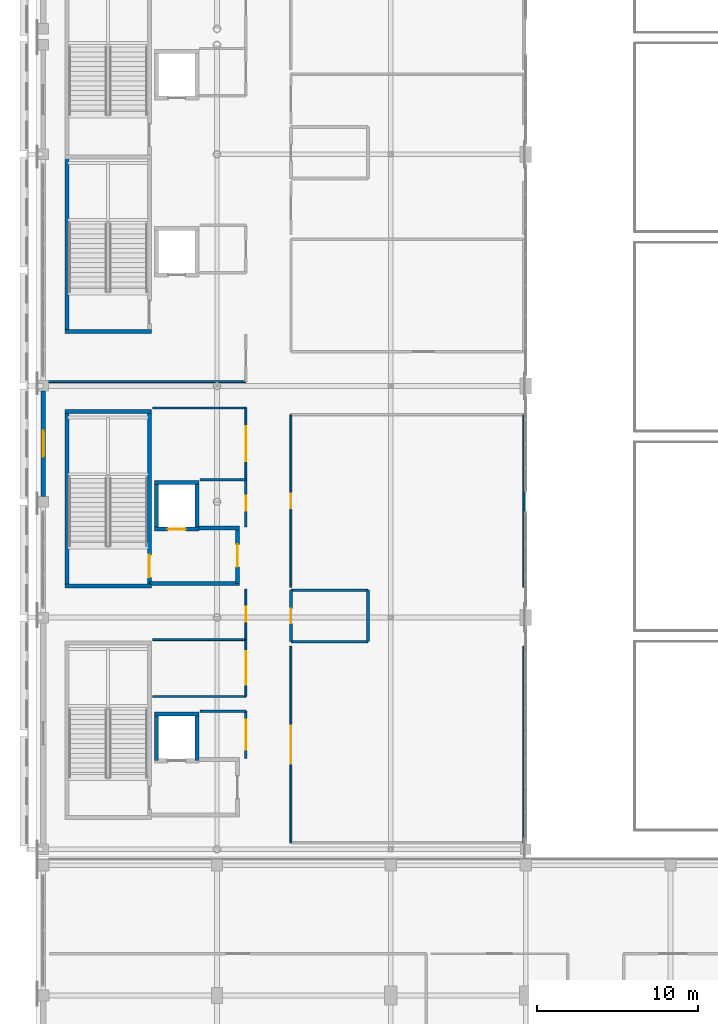
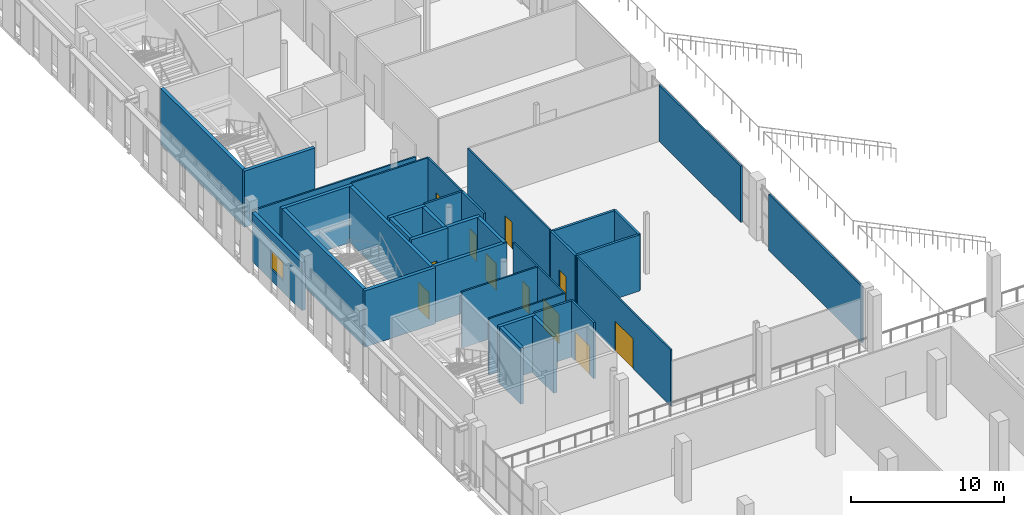
# One storey, part 63 of 104: 36 walls, 11 doors, 1 window, 12 openings.
"""IFC4 building model written with IfcOpenShell, lengths in metres."""

import ifcopenshell
import ifcopenshell.guid

model = None  # the IFC model being written
_history = None  # IfcOwnerHistory: only IFC2X3 demands one
_inside = {}  # id of a spatial element -> (the spatial element, [elements in it])
_under = {}  # id of a project, library or spatial element -> (it, [spatial elements below it])
_declared = {}  # id of a project -> (the project, [libraries it declares])
_typed = {}  # id of a type object -> (the type object, [elements of that type])
_made_of = {}  # id of a material, layer set ... -> (it, [elements and type objects made of it])


def new_model(schema):
    """Start an empty IFC model of exactly this schema.

    Asked for "IFC4X3", IfcOpenShell would pick the latest addendum, in which some entities
    have other attributes; the version numbers below select the first issue.
    IFC2X3 requires an IfcOwnerHistory on every rooted entity: one is made here for all.
    """
    global model, _history
    if schema == "IFC4X3":
        model = ifcopenshell.file(schema_version=(4, 3, 0, 0))
    else:
        model = ifcopenshell.file(schema=schema)
    _inside.clear()
    _under.clear()
    _declared.clear()
    _typed.clear()
    _made_of.clear()
    _history = None
    if model.schema == "IFC2X3":
        org = make("IfcOrganization", Name="unknown")
        user = make(
            "IfcPersonAndOrganization",
            ThePerson=make("IfcPerson", FamilyName="unknown"),
            TheOrganization=org,
        )
        app = make(
            "IfcApplication",
            ApplicationDeveloper=org,
            Version="unknown",
            ApplicationFullName="unknown",
            ApplicationIdentifier="unknown",
        )
        _history = make(
            "IfcOwnerHistory",
            OwningUser=user,
            OwningApplication=app,
            ChangeAction="ADDED",
            CreationDate=0,
        )
    return model


def make(cls, **values):
    """One entity of the class cls with the attributes given. An attribute that is None is left unset."""
    return model.create_entity(
        cls, **{name: value for name, value in values.items() if value is not None}
    )


def rooted(cls, **values):
    """An entity with a GlobalId (a new one), such as an element, a storey or a relation."""
    return make(cls, GlobalId=ifcopenshell.guid.new(), OwnerHistory=_history, **values)


def si_unit(unit_type, name, prefix=None):
    """IfcSIUnit, for example si_unit("LENGTHUNIT", "METRE", prefix="MILLI")."""
    return make("IfcSIUnit", UnitType=unit_type, Prefix=prefix, Name=name)


def assignment(units):
    """IfcUnitAssignment: the units of a project."""
    return None if units is None else make("IfcUnitAssignment", Units=units)


def point(xyz):
    """IfcCartesianPoint."""
    return None if xyz is None else make("IfcCartesianPoint", Coordinates=xyz)


def direction(xyz):
    """IfcDirection."""
    return None if xyz is None else make("IfcDirection", DirectionRatios=xyz)


def frame(location, z_axis=None, x_axis=None):
    """IfcAxis2Placement3D, a coordinate frame: its origin and axes. An axis left out is left unset."""
    return make(
        "IfcAxis2Placement3D",
        Location=point(location),
        Axis=direction(z_axis),
        RefDirection=direction(x_axis),
    )


def frame_2d(location, x_axis=None):
    """IfcAxis2Placement2D, a coordinate frame in the plane: its origin and x axis."""
    return make(
        "IfcAxis2Placement2D", Location=point(location), RefDirection=direction(x_axis)
    )


def origin():
    """The frame at (0, 0, 0) with its axes left unset."""
    return frame((0.0, 0.0, 0.0))


def place(relative_to, where):
    """IfcLocalPlacement: puts the frame where relative to a parent placement (None: the world)."""
    return make(
        "IfcLocalPlacement", PlacementRelTo=relative_to, RelativePlacement=where
    )


def context(
    kind, dimensions, precision=None, world=None, true_north=None, identifier=None
):
    """IfcGeometricRepresentationContext, for example the 3D "Model" context."""
    return make(
        "IfcGeometricRepresentationContext",
        ContextIdentifier=identifier,
        ContextType=kind,
        CoordinateSpaceDimension=dimensions,
        Precision=precision,
        WorldCoordinateSystem=world,
        TrueNorth=true_north,
    )


def subcontext(parent, identifier, kind, view, scale=None):
    """IfcGeometricRepresentationSubContext, for example "Body" below "Model"."""
    return make(
        "IfcGeometricRepresentationSubContext",
        ContextIdentifier=identifier,
        ContextType=kind,
        ParentContext=parent,
        TargetScale=scale,
        TargetView=view,
    )


def project(units=None, contexts=None):
    """IfcProject with its units and contexts."""
    return rooted(
        "IfcProject",
        Name="project",
        RepresentationContexts=contexts,
        UnitsInContext=assignment(units),
    )


def spatial(cls, under=None, at=None, **own):
    """A site, building, storey or space (cls), placed at a placement, below another one or the project."""
    s = rooted(cls, ObjectPlacement=at, **own)
    if under is not None:
        _under.setdefault(under.id(), (under, []))[1].append(s)
    return s


def profile(cls, at=None, kind="AREA", **sizes):
    """A parametric profile (cls). Its sizes go by their IFC names, for example OverallWidth=200.0."""
    return make(cls, ProfileType=kind, Position=at, **sizes)


def rectangle(**sizes):
    """IfcRectangleProfileDef."""
    return profile("IfcRectangleProfileDef", **sizes)


def extrude(swept, where, along, depth):
    """IfcExtrudedAreaSolid: the profile swept, set in the frame where, extruded along a direction by depth."""
    return make(
        "IfcExtrudedAreaSolid",
        SweptArea=swept,
        Position=where,
        ExtrudedDirection=direction(along),
        Depth=depth,
    )


def shape(context_of_items, identifier, shape_type, items):
    """IfcShapeRepresentation: the items that make up one representation, for example the "Body"."""
    return make(
        "IfcShapeRepresentation",
        ContextOfItems=context_of_items,
        RepresentationIdentifier=identifier,
        RepresentationType=shape_type,
        Items=items,
    )


def material(Name=None, Category=None):
    """IfcMaterial."""
    return make("IfcMaterial", Name=Name, Category=Category)


def layer(
    of_material, thickness, ventilated=None, Name=None, Category=None, Priority=None
):
    """IfcMaterialLayer: one layer of a wall or slab, of a material (None: an air gap)."""
    return make(
        "IfcMaterialLayer",
        Material=of_material,
        LayerThickness=thickness,
        IsVentilated=ventilated,
        Name=Name,
        Category=Category,
        Priority=Priority,
    )


def layer_set(layers, Name=None):
    """IfcMaterialLayerSet."""
    return make("IfcMaterialLayerSet", MaterialLayers=layers, LayerSetName=Name)


def made_of(thing, what):
    """Note that an element or type object is made of a material, layer set ...; save() writes the relation."""
    if what is not None:
        _made_of.setdefault(what.id(), (what, []))[1].append(thing)
    return thing


def type_object(cls, material=None, **own):
    """A type object (cls), such as IfcWallType, which elements share."""
    return made_of(rooted(cls, **own), material)


def element(
    cls,
    number,
    at=None,
    inside=None,
    cuts=None,
    type_object=None,
    material=None,
    context=None,
    identifier="Body",
    shape_type=None,
    held_by="IfcProductDefinitionShape",
    body=None,
    shapes=None,
    **own,
):
    """One element of the class cls, such as IfcWall. Its Tag is "e" and its number.

    at: its placement. inside: the storey or other place that contains it. cuts: it is an
    opening in that element (IfcRelVoidsElement). A single representation is given by context,
    identifier, shape_type and body (its items); several are given by shapes. held_by: the class
    of the entity that holds the representations. save() writes the other relations.
    """
    e = rooted(cls, Tag="e%d" % number, ObjectPlacement=at, **own)
    if body is not None:
        shapes = [shape(context, identifier, shape_type, body)]
    if shapes is not None:
        e.Representation = make(held_by, Representations=shapes)
    if inside is not None:
        _inside.setdefault(inside.id(), (inside, []))[1].append(e)
    if cuts is not None:
        rooted(
            "IfcRelVoidsElement", RelatingBuildingElement=cuts, RelatedOpeningElement=e
        )
    if type_object is not None:
        _typed.setdefault(type_object.id(), (type_object, []))[1].append(e)
    return made_of(e, material)


def fill(opening, filler):
    """IfcRelFillsElement: the door or window that sits in an opening."""
    return rooted(
        "IfcRelFillsElement",
        RelatingOpeningElement=opening,
        RelatedBuildingElement=filler,
    )


def aggregate(whole, parts):
    """IfcRelAggregates: a whole, such as a stair, and the parts it consists of."""
    return rooted("IfcRelAggregates", RelatingObject=whole, RelatedObjects=parts)


def save(model, path):
    """Write the relations noted so far, then the file.

    IfcRelAggregates (storeys below a building ...), IfcRelContainedInSpatialStructure (elements
    in a storey), IfcRelDefinesByType, IfcRelAssociatesMaterial and IfcRelDeclares: one each for
    every whole, place, type object, material and project.
    """
    for whole, parts in _under.values():
        aggregate(whole, parts)
    for where, things in _inside.values():
        rooted(
            "IfcRelContainedInSpatialStructure",
            RelatedElements=things,
            RelatingStructure=where,
        )
    for kind, things in _typed.values():
        rooted("IfcRelDefinesByType", RelatedObjects=things, RelatingType=kind)
    for what, things in _made_of.values():
        rooted("IfcRelAssociatesMaterial", RelatedObjects=things, RelatingMaterial=what)
    for by, libraries in _declared.values():
        rooted("IfcRelDeclares", RelatingContext=by, RelatedDefinitions=libraries)
    model.write(path)


model = new_model("IFC4")

# Units and contexts
model_context = context("Model", 3, precision=1e-05, world=origin(), true_north=direction((0.0, 1.0)))
body_context = subcontext(model_context, "Body", "Model", "MODEL_VIEW")
ifc_project = project(units=[si_unit("LENGTHUNIT", "METRE"), si_unit("AREAUNIT", "SQUARE_METRE"), si_unit("VOLUMEUNIT", "CUBIC_METRE"), si_unit("PLANEANGLEUNIT", "RADIAN"), si_unit("MASSUNIT", "GRAM", prefix="KILO")], contexts=[model_context])

# Site, building, storey
site_placement = place(None, origin())
site = spatial("IfcSite", under=ifc_project, at=site_placement, CompositionType="ELEMENT")
building_placement = place(site_placement, origin())
building = spatial("IfcBuilding", under=site, at=building_placement, Name="Koshinbarg Plaza Stadium", CompositionType="ELEMENT")
storey_placement = place(building_placement, frame((0.0, 0.0, 19.800048828125)))
storey = spatial("IfcBuildingStorey", under=building, at=storey_placement, Name="L04", CompositionType="ELEMENT", Elevation=19.800048828125)

# Walls
ifc_material_1 = material(Name="Concrete C40/50", Category="concrete")
ifc_layer_1 = layer(ifc_material_1, 0.25)
ifc_layer_set_1 = layer_set([ifc_layer_1], Name="Concrete C40/50")
wall_type_1 = type_object("IfcWallType", Name="WL-CORE-250", PredefinedType="SHEAR", material=ifc_layer_set_1)
for number, where, z_axis, x_axis, name in (
    (1, (25.949951171875, 41.875, 0.0), (0.0, 0.0, 1.0), (1.0, 0.0, 0.0), "L04 core stair shear wall C02-near IWL-L04-0045"),
    (2, (31.320068359375, 52.72509765625, 0.0), (0.0, 0.0, 1.0), (-1.0, 0.0, 0.0), "L04 core stair shear wall C02-far IWL-L04-0046"),
):
    element("IfcWall", number, at=place(storey_placement, frame(where, z_axis=z_axis, x_axis=x_axis)), inside=storey, type_object=wall_type_1, Name=name, PredefinedType="SHEAR", context=body_context, shape_type="SweptSolid", body=[
        extrude(rectangle(XDim=5.3701171875, YDim=0.25, at=frame_2d((2.68505859375, 0.0))), origin(), (0.0, 0.0, 1.0), 4.5),
    ])
wall_1_placement = place(storey_placement, frame((26.074951171875, 41.875, 0.0), z_axis=(0.0, 0.0, 1.0), x_axis=(0.0, 1.0, 0.0)))
element("IfcWall", 3, at=wall_1_placement, inside=storey, type_object=wall_type_1, Name="L04 core stair shear wall C02-left IWL-L04-0047", PredefinedType="SHEAR", context=body_context, shape_type="SweptSolid", body=[
    extrude(rectangle(XDim=10.85009765625, YDim=0.25, at=frame_2d((5.425048828125, 0.0))), origin(), (0.0, 0.0, 1.0), 4.5),
])

# Wall, opening, door
wall_2_placement = place(storey_placement, frame((31.195068359375, 41.875, 0.0), z_axis=(0.0, 0.0, 1.0), x_axis=(0.0, 1.0, 0.0)))
wall_2 = element("IfcWall", 4, at=wall_2_placement, inside=storey, type_object=wall_type_1, Name="L04 core stair shear wall C02-right IWL-L04-0048", PredefinedType="SHEAR", context=body_context, shape_type="SweptSolid", body=[
    extrude(rectangle(XDim=10.85009765625, YDim=0.25, at=frame_2d((5.425048828125, 0.0))), origin(), (0.0, 0.0, 1.0), 4.5),
])
opening_1_placement = place(wall_2_placement, frame((0.52001953125, 0.0, 0.0)))
opening_1 = element("IfcOpeningElement", 5, at=opening_1_placement, cuts=wall_2, Name="Opening D-0072", PredefinedType="OPENING", context=body_context, shape_type="SweptSolid", body=[
    extrude(rectangle(XDim=1.39990234375, YDim=2.14990234375, at=frame_2d((0.699951171875, 1.074951171875))), frame((0.0, 0.135009765625, 0.0), z_axis=(0.0, -1.0, 0.0), x_axis=(1.0, 0.0, 0.0)), (0.0, 0.0, 1.0), 0.27001953125),
])
ifc_material_2 = material(Name="Painted galvanized steel fire door", Category="steel")
door_type_1 = type_object("IfcDoorType", Name="DR-STAIR-1400", OperationType="NOTDEFINED", PredefinedType="DOOR", material=ifc_material_2)
door_1_placement = place(opening_1_placement, origin())
door_1 = element("IfcDoor", 6, at=door_1_placement, inside=storey, type_object=door_type_1, Name="L04 exit stair door C02", OperationType="SINGLE_SWING_LEFT", OverallHeight=2.14990234375, OverallWidth=1.39990234375, PredefinedType="DOOR", context=body_context, shape_type="SweptSolid", body=[
    extrude(rectangle(XDim=1.39990234375, YDim=2.14990234375, at=frame_2d((0.699951171875, 1.074951171875))), frame((0.0, 0.02490234375, 0.0), z_axis=(0.0, -1.0, 0.0), x_axis=(1.0, 0.0, 0.0)), (0.0, 0.0, 1.0), 0.050048828125),
])
fill(opening_1, door_1)

# Walls
wall_3_placement = place(storey_placement, frame((25.949951171875, 57.675048828125, 0.0), z_axis=(0.0, 0.0, 1.0), x_axis=(1.0, 0.0, 0.0)))
element("IfcWall", 7, at=wall_3_placement, inside=storey, type_object=wall_type_1, Name="L04 core stair shear wall C03-near IWL-L04-0073", PredefinedType="SHEAR", context=body_context, shape_type="SweptSolid", body=[
    extrude(rectangle(XDim=5.3701171875, YDim=0.25, at=frame_2d((2.68505859375, 0.0))), origin(), (0.0, 0.0, 1.0), 4.5),
])
wall_4_placement = place(storey_placement, frame((26.074951171875, 57.675048828125, 0.0), z_axis=(0.0, 0.0, 1.0), x_axis=(0.0, 1.0, 0.0)))
element("IfcWall", 8, at=wall_4_placement, inside=storey, type_object=wall_type_1, Name="L04 core stair shear wall C03-left IWL-L04-0075", PredefinedType="SHEAR", context=body_context, shape_type="SweptSolid", body=[
    extrude(rectangle(XDim=10.849853515625, YDim=0.25, at=frame_2d((5.4248046875, 0.0))), origin(), (0.0, 0.0, 1.0), 4.5),
])
wall_5_placement = place(storey_placement, frame((34.27490234375, 33.89990234375, 0.0), z_axis=(0.0, 0.0, 1.0), x_axis=(-1.0, 0.0, 0.0)))
element("IfcWall", 9, at=wall_5_placement, inside=storey, type_object=wall_type_1, Name="L04 lift shaft shear wall FL01-N IWL-L04-0639", PredefinedType="SHEAR", context=body_context, shape_type="SweptSolid", body=[
    extrude(rectangle(XDim=2.75, YDim=0.25, at=frame_2d((1.375, 0.0))), origin(), (0.0, 0.0, 1.0), 4.5),
])
for number, where, z_axis, x_axis, name in (
    (10, (31.64990234375, 33.89990234375, 0.0), (0.0, 0.0, 1.0), (0.0, -1.0, 0.0), "L04 lift shaft shear wall FL01-W IWL-L04-0640"),
    (11, (34.14990234375, 31.0, 0.0), (0.0, 0.0, 1.0), (0.0, 1.0, 0.0), "L04 lift shaft shear wall FL01-E IWL-L04-0641"),
):
    element("IfcWall", number, at=place(storey_placement, frame(where, z_axis=z_axis, x_axis=x_axis)), inside=storey, type_object=wall_type_1, Name=name, PredefinedType="SHEAR", context=body_context, shape_type="SweptSolid", body=[
        extrude(rectangle(XDim=2.89990234375, YDim=0.25, at=frame_2d((1.449951171875, 0.0))), origin(), (0.0, 0.0, 1.0), 4.5),
    ])

# Wall, opening, door
wall_6_placement = place(storey_placement, frame((31.52490234375, 45.39990234375, 0.0), z_axis=(0.0, 0.0, 1.0), x_axis=(1.0, 0.0, 0.0)))
wall_6 = element("IfcWall", 12, at=wall_6_placement, inside=storey, type_object=wall_type_1, Name="L04 lift shaft shear wall FL02-S IWL-L04-0687", PredefinedType="SHEAR", context=body_context, shape_type="SweptSolid", body=[
    extrude(rectangle(XDim=2.75, YDim=0.25, at=frame_2d((1.375, 0.0))), origin(), (0.0, 0.0, 1.0), 4.5),
])
opening_2_placement = place(wall_6_placement, frame((0.824951171875, 0.0, 0.0)))
opening_2 = element("IfcOpeningElement", 13, at=opening_2_placement, cuts=wall_6, Name="Opening D-0237", PredefinedType="OPENING", context=body_context, shape_type="SweptSolid", body=[
    extrude(rectangle(XDim=1.10009765625, YDim=2.14990234375, at=frame_2d((0.550048828125, 1.074951171875))), frame((0.0, 0.135009765625, 0.0), z_axis=(0.0, -1.0, 0.0), x_axis=(1.0, 0.0, 0.0)), (0.0, 0.0, 1.0), 0.27001953125),
])
ifc_material_3 = material(Name="Brushed stainless steel sliding lift landing door", Category="steel")
door_type_2 = type_object("IfcDoorType", Name="DR-LIFT-1100", OperationType="NOTDEFINED", PredefinedType="DOOR", material=ifc_material_3)
door_2_placement = place(opening_2_placement, origin())
door_2 = element("IfcDoor", 14, at=door_2_placement, inside=storey, type_object=door_type_2, Name="L04 lift landing door FL02", OperationType="SLIDING_TO_LEFT", OverallHeight=2.14990234375, OverallWidth=1.10009765625, PredefinedType="DOOR", context=body_context, shape_type="SweptSolid", body=[
    extrude(rectangle(XDim=1.10009765625, YDim=2.14990234375, at=frame_2d((0.550048828125, 1.074951171875))), frame((0.0, 0.02490234375, 0.0), z_axis=(0.0, -1.0, 0.0), x_axis=(1.0, 0.0, 0.0)), (0.0, 0.0, 1.0), 0.050048828125),
])
fill(opening_2, door_2)

# Walls
wall_7_placement = place(storey_placement, frame((34.27490234375, 48.300048828125, 0.0), z_axis=(0.0, 0.0, 1.0), x_axis=(-1.0, 0.0, 0.0)))
element("IfcWall", 15, at=wall_7_placement, inside=storey, type_object=wall_type_1, Name="L04 lift shaft shear wall FL02-N IWL-L04-0688", PredefinedType="SHEAR", context=body_context, shape_type="SweptSolid", body=[
    extrude(rectangle(XDim=2.75, YDim=0.25, at=frame_2d((1.375, 0.0))), origin(), (0.0, 0.0, 1.0), 4.5),
])
for number, where, z_axis, x_axis, name in (
    (16, (31.64990234375, 48.300048828125, 0.0), (0.0, 0.0, 1.0), (0.0, -1.0, 0.0), "L04 lift shaft shear wall FL02-W IWL-L04-0689"),
    (17, (34.14990234375, 45.39990234375, 0.0), (0.0, 0.0, 1.0), (0.0, 1.0, 0.0), "L04 lift shaft shear wall FL02-E IWL-L04-0690"),
):
    element("IfcWall", number, at=place(storey_placement, frame(where, z_axis=z_axis, x_axis=x_axis)), inside=storey, type_object=wall_type_1, Name=name, PredefinedType="SHEAR", context=body_context, shape_type="SweptSolid", body=[
        extrude(rectangle(XDim=2.900146484375, YDim=0.25, at=frame_2d((1.4501953125, 0.0))), origin(), (0.0, 0.0, 1.0), 4.5),
    ])

# Wall, opening, door
wall_8_placement = place(storey_placement, frame((36.675048828125, 42.02490234375, 0.0), z_axis=(0.0, 0.0, 1.0), x_axis=(0.0, 1.0, 0.0)))
wall_8 = element("IfcWall", 18, at=wall_8_placement, inside=storey, type_object=wall_type_1, Name="L04 firefighting lobby wall C02-E IWL-L04-0691", PredefinedType="SHEAR", context=body_context, shape_type="SweptSolid", body=[
    extrude(rectangle(XDim=3.4501953125, YDim=0.25, at=frame_2d((1.72509765625, 0.0))), origin(), (0.0, 0.0, 1.0), 4.5),
])
opening_3_placement = place(wall_8_placement, frame((1.02490234375, 0.0, 0.0)))
opening_3 = element("IfcOpeningElement", 19, at=opening_3_placement, cuts=wall_8, Name="Opening D-0238", PredefinedType="OPENING", context=body_context, shape_type="SweptSolid", body=[
    extrude(rectangle(XDim=1.39990234375, YDim=2.14990234375, at=frame_2d((0.699951171875, 1.074951171875))), frame((0.0, 0.135009765625, 0.0), z_axis=(0.0, -1.0, 0.0), x_axis=(1.0, 0.0, 0.0)), (0.0, 0.0, 1.0), 0.27001953125),
])
ifc_material_4 = material(Name="Smoke-sealed steel firefighting lobby door", Category="steel")
door_type_3 = type_object("IfcDoorType", Name="DR-FFLOB-1400", OperationType="NOTDEFINED", PredefinedType="DOOR", material=ifc_material_4)
door_3_placement = place(opening_3_placement, origin())
door_3 = element("IfcDoor", 20, at=door_3_placement, inside=storey, type_object=door_type_3, Name="L04 firefighting lobby fire door C02", OperationType="DOUBLE_DOOR_SINGLE_SWING", OverallHeight=2.14990234375, OverallWidth=1.39990234375, PredefinedType="DOOR", context=body_context, shape_type="SweptSolid", body=[
    extrude(rectangle(XDim=1.39990234375, YDim=2.14990234375, at=frame_2d((0.699951171875, 1.074951171875))), frame((0.0, 0.02490234375, 0.0), z_axis=(0.0, -1.0, 0.0), x_axis=(1.0, 0.0, 0.0)), (0.0, 0.0, 1.0), 0.050048828125),
])
fill(opening_3, door_3)

# Walls
wall_9_placement = place(storey_placement, frame((34.27490234375, 45.47509765625, 0.0), z_axis=(0.0, 0.0, 1.0), x_axis=(1.0, 0.0, 0.0)))
element("IfcWall", 21, at=wall_9_placement, inside=storey, type_object=wall_type_1, Name="L04 firefighting lobby wall C02-NE IWL-L04-0692", PredefinedType="SHEAR", context=body_context, shape_type="SweptSolid", body=[
    extrude(rectangle(XDim=2.525146484375, YDim=0.25, at=frame_2d((1.2626953125, 0.0))), origin(), (0.0, 0.0, 1.0), 4.5),
])
wall_10_placement = place(storey_placement, frame((31.199951171875, 42.02490234375, 0.0), z_axis=(0.0, 0.0, 1.0), x_axis=(1.0, 0.0, 0.0)))
element("IfcWall", 22, at=wall_10_placement, inside=storey, type_object=wall_type_1, Name="L04 firefighting lobby wall C02-S IWL-L04-0693", PredefinedType="SHEAR", context=body_context, shape_type="SweptSolid", body=[
    extrude(rectangle(XDim=5.60009765625, YDim=0.25, at=frame_2d((2.800048828125, 0.0))), origin(), (0.0, 0.0, 1.0), 4.5),
])

# Wall, opening, window
ifc_material_5 = material(Name="Terracotta-ochre mineral plaster insulated wall", Category="masonry")
ifc_layer_2 = layer(ifc_material_5, 0.280029296875)
ifc_layer_set_2 = layer_set([ifc_layer_2], Name="Terracotta-ochre mineral plaster insulated wall")
wall_type_2 = type_object("IfcWallType", Name="WL-EXT-280", PredefinedType="SOLIDWALL", material=ifc_layer_set_2)
wall_11_placement = place(storey_placement, frame((24.60009765625, 47.419921875, 0.0), z_axis=(0.0, 0.0, 1.0), x_axis=(0.0, 1.0, 0.0)))
wall_11 = element("IfcWall", 23, at=wall_11_placement, inside=storey, type_object=wall_type_2, Name="L04 exterior envelope wall EWL-L04-0204", PredefinedType="SOLIDWALL", context=body_context, shape_type="SweptSolid", body=[
    extrude(rectangle(XDim=6.56005859375, YDim=0.280029296875, at=frame_2d((3.280029296875, 0.0))), origin(), (0.0, 0.0, 1.0), 3.8798828125),
])
opening_4_placement = place(wall_11_placement, frame((2.47998046875, 0.0, 0.89990234375)))
opening_4 = element("IfcOpeningElement", 24, at=opening_4_placement, cuts=wall_11, Name="Opening WN03", PredefinedType="OPENING", context=body_context, shape_type="SweptSolid", body=[
    extrude(rectangle(XDim=1.60009765625, YDim=1.5, at=frame_2d((0.800048828125, 0.75))), frame((0.0, 0.14990234375, 0.0), z_axis=(0.0, -1.0, 0.0), x_axis=(1.0, 0.0, 0.0)), (0.0, 0.0, 1.0), 0.300048828125),
])
ifc_material_6 = material(Name="Solar-control double glazing in thermally broken aluminium frame", Category="aluminium")
window_type = type_object("IfcWindowType", Name="WN-FAC-03", PartitioningType="DOUBLE_PANEL_VERTICAL", PredefinedType="WINDOW", material=ifc_material_6)
window_placement = place(opening_4_placement, origin())
window = element("IfcWindow", 25, at=window_placement, inside=storey, type_object=window_type, Name="L04 facade window 0137", OverallHeight=1.5, OverallWidth=1.60009765625, PartitioningType="SINGLE_PANEL", PredefinedType="WINDOW", context=body_context, shape_type="SweptSolid", body=[
    extrude(rectangle(XDim=1.60009765625, YDim=1.5, at=frame_2d((0.800048828125, 0.75))), frame((0.0, 0.030029296875, 0.0), z_axis=(0.0, -1.0, 0.0), x_axis=(1.0, 0.0, 0.0)), (0.0, 0.0, 1.0), 0.06005859375),
])
fill(opening_4, window)

# Wall, opening, door
ifc_material_7 = material(Name="Gypsum board metal-stud acoustic partition")
ifc_layer_3 = layer(ifc_material_7, 0.1201171875)
ifc_layer_set_3 = layer_set([ifc_layer_3], Name="Gypsum board metal-stud acoustic partition")
wall_type_3 = type_object("IfcWallType", Name="WL-PART-120", PredefinedType="PARTITIONING", material=ifc_layer_set_3)
wall_12_placement = place(storey_placement, frame((37.199951171875, 38.530029296875, 0.0), z_axis=(0.0, 0.0, 1.0), x_axis=(0.0, 1.0, 0.0)))
wall_12 = element("IfcWall", 26, at=wall_12_placement, inside=storey, type_object=wall_type_3, Name="L04 interior partition L04-37-east IWL-L04-2094", PredefinedType="PARTITIONING", context=body_context, shape_type="SweptSolid", body=[
    extrude(rectangle(XDim=3.139892578125, YDim=0.1201171875, at=frame_2d((1.56982421875, 0.0))), origin(), (0.0, 0.0, 1.0), 4.5),
])
opening_5_placement = place(wall_12_placement, frame((1.110107421875, 0.0, 0.0)))
opening_5 = element("IfcOpeningElement", 27, at=opening_5_placement, cuts=wall_12, Name="Opening D-0720", PredefinedType="OPENING", context=body_context, shape_type="SweptSolid", body=[
    extrude(rectangle(XDim=0.919921875, YDim=2.10009765625, at=frame_2d((0.4599609375, 1.050048828125))), frame((0.0, 0.070068359375, 0.0), z_axis=(0.0, -1.0, 0.0), x_axis=(1.0, 0.0, 0.0)), (0.0, 0.0, 1.0), 0.14013671875),
])
ifc_material_8 = material(Name="Solid-core oak veneer acoustic door")
door_type_4 = type_object("IfcDoorType", Name="DR-INT-0920x2100", OperationType="NOTDEFINED", PredefinedType="DOOR", material=ifc_material_8)
door_4_placement = place(opening_5_placement, origin())
door_4 = element("IfcDoor", 28, at=door_4_placement, inside=storey, type_object=door_type_4, Name="L04 International Press Lounge door D-0720", OperationType="SINGLE_SWING_RIGHT", OverallHeight=2.10009765625, OverallWidth=0.919921875, PredefinedType="DOOR", context=body_context, shape_type="SweptSolid", body=[
    extrude(rectangle(XDim=0.919921875, YDim=2.10009765625, at=frame_2d((0.4599609375, 1.050048828125))), frame((0.0, 0.02490234375, 0.0), z_axis=(0.0, -1.0, 0.0), x_axis=(1.0, 0.0, 0.0)), (0.0, 0.0, 1.0), 0.050048828125),
])
fill(opening_5, door_4)

# Wall
wall_13_placement = place(storey_placement, frame((31.39990234375, 34.994140625, 0.0), z_axis=(0.0, 0.0, 1.0), x_axis=(1.0, 0.0, 0.0)))
element("IfcWall", 29, at=wall_13_placement, inside=storey, type_object=wall_type_3, Name="L04 interior partition L04-38-south IWL-L04-2095", PredefinedType="PARTITIONING", context=body_context, shape_type="SweptSolid", body=[
    extrude(rectangle(XDim=5.800048828125, YDim=0.1201171875, at=frame_2d((2.89990234375, 0.0))), origin(), (0.0, 0.0, 1.0), 4.5),
])

# Wall, opening, door
wall_14_placement = place(storey_placement, frame((37.199951171875, 34.994140625, 0.0), z_axis=(0.0, 0.0, 1.0), x_axis=(0.0, 1.0, 0.0)))
wall_14 = element("IfcWall", 30, at=wall_14_placement, inside=storey, type_object=wall_type_3, Name="L04 interior partition L04-38-east IWL-L04-2096", PredefinedType="PARTITIONING", context=body_context, shape_type="SweptSolid", body=[
    extrude(rectangle(XDim=3.535888671875, YDim=0.1201171875, at=frame_2d((1.76806640625, 0.0))), origin(), (0.0, 0.0, 1.0), 4.5),
])
opening_6_placement = place(wall_14_placement, frame((0.727783203125, 0.0, 0.0)))
opening_6 = element("IfcOpeningElement", 31, at=opening_6_placement, cuts=wall_14, Name="Opening D-0721", PredefinedType="OPENING", context=body_context, shape_type="SweptSolid", body=[
    extrude(rectangle(XDim=2.080078125, YDim=2.35009765625, at=frame_2d((1.0400390625, 1.175048828125))), frame((0.0, 0.070068359375, 0.0), z_axis=(0.0, -1.0, 0.0), x_axis=(1.0, 0.0, 0.0)), (0.0, 0.0, 1.0), 0.14013671875),
])
ifc_material_9 = material(Name="Laminated safety glass aluminium vestibule door", Category="aluminium")
door_type_5 = type_object("IfcDoorType", Name="DR-INT-2080x2350", OperationType="NOTDEFINED", PredefinedType="DOOR", material=ifc_material_9)
door_5_placement = place(opening_6_placement, origin())
door_5 = element("IfcDoor", 32, at=door_5_placement, inside=storey, type_object=door_type_5, Name="L04 West Skybox Salon door D-0721", OperationType="DOUBLE_DOOR_SINGLE_SWING", OverallHeight=2.35009765625, OverallWidth=2.080078125, PredefinedType="DOOR", context=body_context, shape_type="SweptSolid", body=[
    extrude(rectangle(XDim=2.080078125, YDim=2.35009765625, at=frame_2d((1.0400390625, 1.175048828125))), frame((0.0, 0.02490234375, 0.0), z_axis=(0.0, -1.0, 0.0), x_axis=(1.0, 0.0, 0.0)), (0.0, 0.0, 1.0), 0.050048828125),
])
fill(opening_6, door_5)

# Wall
wall_15_placement = place(storey_placement, frame((37.199951171875, 38.530029296875, 0.0), z_axis=(0.0, 0.0, 1.0), x_axis=(-1.0, 0.0, 0.0)))
element("IfcWall", 33, at=wall_15_placement, inside=storey, type_object=wall_type_3, Name="L04 interior partition L04-38-north IWL-L04-2097", PredefinedType="PARTITIONING", context=body_context, shape_type="SweptSolid", body=[
    extrude(rectangle(XDim=5.800048828125, YDim=0.1201171875, at=frame_2d((2.89990234375, 0.0))), origin(), (0.0, 0.0, 1.0), 4.5),
])

# Wall, opening, door
wall_16_placement = place(storey_placement, frame((37.199951171875, 48.47998046875, 0.0), z_axis=(0.0, 0.0, 1.0), x_axis=(0.0, 1.0, 0.0)))
wall_16 = element("IfcWall", 34, at=wall_16_placement, inside=storey, type_object=wall_type_3, Name="L04 interior partition L04-39-east IWL-L04-2098", PredefinedType="PARTITIONING", context=body_context, shape_type="SweptSolid", body=[
    extrude(rectangle(XDim=4.449951171875, YDim=0.1201171875, at=frame_2d((2.22509765625, 0.0))), origin(), (0.0, 0.0, 1.0), 4.5),
])
opening_7_placement = place(wall_16_placement, frame((1.14501953125, 0.0, 0.0)))
opening_7 = element("IfcOpeningElement", 35, at=opening_7_placement, cuts=wall_16, Name="Opening D-0722", PredefinedType="OPENING", context=body_context, shape_type="SweptSolid", body=[
    extrude(rectangle(XDim=2.159912109375, YDim=2.35009765625, at=frame_2d((1.080078125, 1.175048828125))), frame((0.0, 0.070068359375, 0.0), z_axis=(0.0, -1.0, 0.0), x_axis=(1.0, 0.0, 0.0)), (0.0, 0.0, 1.0), 0.14013671875),
])
ifc_material_10 = material(Name="Galvanized painted steel double leaf door", Category="steel")
door_type_6 = type_object("IfcDoorType", Name="DR-INT-2160x2350", OperationType="NOTDEFINED", PredefinedType="DOOR", material=ifc_material_10)
door_6_placement = place(opening_7_placement, origin())
door_6 = element("IfcDoor", 36, at=door_6_placement, inside=storey, type_object=door_type_6, Name="L04 West Skybox Salon door D-0722", OperationType="DOUBLE_DOOR_SINGLE_SWING", OverallHeight=2.35009765625, OverallWidth=2.159912109375, PredefinedType="DOOR", context=body_context, shape_type="SweptSolid", body=[
    extrude(rectangle(XDim=2.159912109375, YDim=2.35009765625, at=frame_2d((1.080078125, 1.175048828125))), frame((0.0, 0.02490234375, 0.0), z_axis=(0.0, -1.0, 0.0), x_axis=(1.0, 0.0, 0.0)), (0.0, 0.0, 1.0), 0.050048828125),
])
fill(opening_7, door_6)

# Walls
wall_17_placement = place(storey_placement, frame((37.199951171875, 52.929931640625, 0.0), z_axis=(0.0, 0.0, 1.0), x_axis=(-1.0, 0.0, 0.0)))
element("IfcWall", 37, at=wall_17_placement, inside=storey, type_object=wall_type_3, Name="L04 interior partition L04-39-north IWL-L04-2099", PredefinedType="PARTITIONING", context=body_context, shape_type="SweptSolid", body=[
    extrude(rectangle(XDim=5.800048828125, YDim=0.1201171875, at=frame_2d((2.89990234375, 0.0))), origin(), (0.0, 0.0, 1.0), 4.5),
])
wall_18_placement = place(storey_placement, frame((54.47998046875, 25.89501953125, 0.0), z_axis=(0.0, 0.0, 1.0), x_axis=(0.0, 1.0, 0.0)))
element("IfcWall", 38, at=wall_18_placement, inside=storey, type_object=wall_type_3, Name="L04 interior partition L04-41-east IWL-L04-2103", PredefinedType="PARTITIONING", context=body_context, shape_type="SweptSolid", body=[
    extrude(rectangle(XDim=12.21142578125, YDim=0.1201171875, at=frame_2d((6.105712890625, 0.0))), origin(), (0.0, 0.0, 1.0), 4.5),
])

# Wall, opening, door
wall_19_placement = place(storey_placement, frame((40.0, 38.1064453125, 0.0), z_axis=(0.0, 0.0, 1.0), x_axis=(0.0, -1.0, 0.0)))
wall_19 = element("IfcWall", 39, at=wall_19_placement, inside=storey, type_object=wall_type_3, Name="L04 interior partition L04-41-west IWL-L04-2104", PredefinedType="PARTITIONING", context=body_context, shape_type="SweptSolid", body=[
    extrude(rectangle(XDim=12.21142578125, YDim=0.1201171875, at=frame_2d((6.105712890625, 0.0))), origin(), (0.0, 0.0, 1.0), 4.5),
])
opening_8_placement = place(wall_19_placement, frame((4.92578125, 0.0, 0.0)))
opening_8 = element("IfcOpeningElement", 40, at=opening_8_placement, cuts=wall_19, Name="Opening D-0724", PredefinedType="OPENING", context=body_context, shape_type="SweptSolid", body=[
    extrude(rectangle(XDim=2.360107421875, YDim=2.39990234375, at=frame_2d((1.18017578125, 1.199951171875))), frame((0.0, 0.070068359375, 0.0), z_axis=(0.0, -1.0, 0.0), x_axis=(1.0, 0.0, 0.0)), (0.0, 0.0, 1.0), 0.14013671875),
])
ifc_material_11 = material(Name="Powder-coated steel and tempered glass double door", Category="steel")
door_type_7 = type_object("IfcDoorType", Name="DR-INT-2360x2400", OperationType="NOTDEFINED", PredefinedType="DOOR", material=ifc_material_11)
door_7_placement = place(opening_8_placement, origin())
door_7 = element("IfcDoor", 41, at=door_7_placement, inside=storey, type_object=door_type_7, Name="L04 International Press Lounge door D-0724", OperationType="DOUBLE_DOOR_SINGLE_SWING", OverallHeight=2.39990234375, OverallWidth=2.360107421875, PredefinedType="DOOR", context=body_context, shape_type="SweptSolid", body=[
    extrude(rectangle(XDim=2.360107421875, YDim=2.39990234375, at=frame_2d((1.18017578125, 1.199951171875))), frame((0.0, 0.02490234375, 0.0), z_axis=(0.0, -1.0, 0.0), x_axis=(1.0, 0.0, 0.0)), (0.0, 0.0, 1.0), 0.050048828125),
])
fill(opening_8, door_7)

# Wall
wall_20_placement = place(storey_placement, frame((54.47998046875, 41.780029296875, 0.0), z_axis=(0.0, 0.0, 1.0), x_axis=(0.0, 1.0, 0.0)))
element("IfcWall", 42, at=wall_20_placement, inside=storey, type_object=wall_type_3, Name="L04 interior partition L04-42-east IWL-L04-2105", PredefinedType="PARTITIONING", context=body_context, shape_type="SweptSolid", body=[
    extrude(rectangle(XDim=10.739990234375, YDim=0.1201171875, at=frame_2d((5.3701171875, 0.0))), origin(), (0.0, 0.0, 1.0), 4.5),
])

# Wall, opening, door
wall_21_placement = place(storey_placement, frame((40.0, 52.52001953125, 0.0), z_axis=(0.0, 0.0, 1.0), x_axis=(0.0, -1.0, 0.0)))
wall_21 = element("IfcWall", 43, at=wall_21_placement, inside=storey, type_object=wall_type_3, Name="L04 interior partition L04-42-west IWL-L04-2107", PredefinedType="PARTITIONING", context=body_context, shape_type="SweptSolid", body=[
    extrude(rectangle(XDim=10.739990234375, YDim=0.1201171875, at=frame_2d((5.3701171875, 0.0))), origin(), (0.0, 0.0, 1.0), 4.5),
])
opening_9_placement = place(wall_21_placement, frame((4.909912109375, 0.0, 0.0)))
opening_9 = element("IfcOpeningElement", 44, at=opening_9_placement, cuts=wall_21, Name="Opening D-0725", PredefinedType="OPENING", context=body_context, shape_type="SweptSolid", body=[
    extrude(rectangle(XDim=0.919921875, YDim=2.10009765625, at=frame_2d((0.4599609375, 1.050048828125))), frame((0.0, 0.070068359375, 0.0), z_axis=(0.0, -1.0, 0.0), x_axis=(1.0, 0.0, 0.0)), (0.0, 0.0, 1.0), 0.14013671875),
])
door_8_placement = place(opening_9_placement, origin())
door_8 = element("IfcDoor", 45, at=door_8_placement, inside=storey, type_object=door_type_4, Name="L04 West Skybox Salon door D-0725", OperationType="SINGLE_SWING_LEFT", OverallHeight=2.10009765625, OverallWidth=0.919921875, PredefinedType="DOOR", context=body_context, shape_type="SweptSolid", body=[
    extrude(rectangle(XDim=0.919921875, YDim=2.10009765625, at=frame_2d((0.4599609375, 1.050048828125))), frame((0.0, 0.02490234375, 0.0), z_axis=(0.0, -1.0, 0.0), x_axis=(1.0, 0.0, 0.0)), (0.0, 0.0, 1.0), 0.050048828125),
])
fill(opening_9, door_8)

# Wall
wall_22_placement = place(storey_placement, frame((24.844970703125, 54.570068359375, 0.0), z_axis=(0.0, 0.0, 1.0), x_axis=(1.0, 0.0, 0.0)))
element("IfcWall", 46, at=wall_22_placement, inside=storey, type_object=wall_type_3, Name="L04 interior partition L04-43-south IWL-L04-2108", PredefinedType="PARTITIONING", context=body_context, shape_type="SweptSolid", body=[
    extrude(rectangle(XDim=12.35498046875, YDim=0.1201171875, at=frame_2d((6.177490234375, 0.0))), origin(), (0.0, 0.0, 1.0), 3.579833984375),
])

# Wall, opening, door
ifc_material_12 = material(Name="Double-layer gypsum acoustic suite partition")
ifc_layer_4 = layer(ifc_material_12, 0.14990234375)
ifc_layer_set_4 = layer_set([ifc_layer_4], Name="Double-layer gypsum acoustic suite partition")
wall_type_4 = type_object("IfcWallType", Name="WL-PART-150", PredefinedType="PARTITIONING", material=ifc_layer_set_4)
wall_23_placement = place(storey_placement, frame((37.199951171875, 31.1298828125, 0.0), z_axis=(0.0, 0.0, 1.0), x_axis=(0.0, 1.0, 0.0)))
wall_23 = element("IfcWall", 47, at=wall_23_placement, inside=storey, type_object=wall_type_4, Name="L04 interior partition L04-36-east IWL-L04-2092", PredefinedType="PARTITIONING", context=body_context, shape_type="SweptSolid", body=[
    extrude(rectangle(XDim=2.9501953125, YDim=0.14990234375, at=frame_2d((1.47509765625, 0.0))), origin(), (0.0, 0.0, 1.0), 4.5),
])
opening_10_placement = place(wall_23_placement, frame((0.544921875, 0.0, 0.0)))
opening_10 = element("IfcOpeningElement", 48, at=opening_10_placement, cuts=wall_23, Name="Opening D-0719", PredefinedType="OPENING", context=body_context, shape_type="SweptSolid", body=[
    extrude(rectangle(XDim=1.860107421875, YDim=2.300048828125, at=frame_2d((0.93017578125, 1.14990234375))), frame((0.0, 0.0849609375, 0.0), z_axis=(0.0, -1.0, 0.0), x_axis=(1.0, 0.0, 0.0)), (0.0, 0.0, 1.0), 0.169921875),
])
ifc_material_13 = material(Name="Acoustic solid-core walnut veneer fire door")
door_type_8 = type_object("IfcDoorType", Name="DR-INT-1860x2300", OperationType="NOTDEFINED", PredefinedType="DOOR", material=ifc_material_13)
door_9_placement = place(opening_10_placement, origin())
door_9 = element("IfcDoor", 49, at=door_9_placement, inside=storey, type_object=door_type_8, Name="L04 Television Broadcast Studio door D-0719", OperationType="DOUBLE_DOOR_SINGLE_SWING", OverallHeight=2.300048828125, OverallWidth=1.860107421875, PredefinedType="DOOR", context=body_context, shape_type="SweptSolid", body=[
    extrude(rectangle(XDim=1.860107421875, YDim=2.300048828125, at=frame_2d((0.93017578125, 1.14990234375))), frame((0.0, 0.02490234375, 0.0), z_axis=(0.0, -1.0, 0.0), x_axis=(1.0, 0.0, 0.0)), (0.0, 0.0, 1.0), 0.050048828125),
])
fill(opening_10, door_9)

# Wall
wall_24_placement = place(storey_placement, frame((37.199951171875, 34.080078125, 0.0), z_axis=(0.0, 0.0, 1.0), x_axis=(-1.0, 0.0, 0.0)))
element("IfcWall", 50, at=wall_24_placement, inside=storey, type_object=wall_type_4, Name="L04 interior partition L04-36-north IWL-L04-2093", PredefinedType="PARTITIONING", context=body_context, shape_type="SweptSolid", body=[
    extrude(rectangle(XDim=2.869873046875, YDim=0.14990234375, at=frame_2d((1.43505859375, 0.0))), origin(), (0.0, 0.0, 1.0), 4.5),
])

# Wall, opening, door
wall_25_placement = place(storey_placement, frame((37.199951171875, 45.530029296875, 0.0), z_axis=(0.0, 0.0, 1.0), x_axis=(0.0, 1.0, 0.0)))
wall_25 = element("IfcWall", 51, at=wall_25_placement, inside=storey, type_object=wall_type_4, Name="L04 interior partition L04-40-east IWL-L04-2100", PredefinedType="PARTITIONING", context=body_context, shape_type="SweptSolid", body=[
    extrude(rectangle(XDim=2.949951171875, YDim=0.14990234375, at=frame_2d((1.47509765625, 0.0))), origin(), (0.0, 0.0, 1.0), 4.5),
])
opening_11_placement = place(wall_25_placement, frame((1.014892578125, 0.0, 0.0)))
opening_11 = element("IfcOpeningElement", 52, at=opening_11_placement, cuts=wall_25, Name="Opening D-0723", PredefinedType="OPENING", context=body_context, shape_type="SweptSolid", body=[
    extrude(rectangle(XDim=0.919921875, YDim=2.10009765625, at=frame_2d((0.4599609375, 1.050048828125))), frame((0.0, 0.0849609375, 0.0), z_axis=(0.0, -1.0, 0.0), x_axis=(1.0, 0.0, 0.0)), (0.0, 0.0, 1.0), 0.169921875),
])
door_10_placement = place(opening_11_placement, origin())
door_10 = element("IfcDoor", 53, at=door_10_placement, inside=storey, type_object=door_type_4, Name="L04 Commentary Production Studio door D-0723", OperationType="SINGLE_SWING_LEFT", OverallHeight=2.10009765625, OverallWidth=0.919921875, PredefinedType="DOOR", context=body_context, shape_type="SweptSolid", body=[
    extrude(rectangle(XDim=0.919921875, YDim=2.10009765625, at=frame_2d((0.4599609375, 1.050048828125))), frame((0.0, 0.02490234375, 0.0), z_axis=(0.0, -1.0, 0.0), x_axis=(1.0, 0.0, 0.0)), (0.0, 0.0, 1.0), 0.050048828125),
])
fill(opening_11, door_10)

# Walls
wall_26_placement = place(storey_placement, frame((37.199951171875, 48.47998046875, 0.0), z_axis=(0.0, 0.0, 1.0), x_axis=(-1.0, 0.0, 0.0)))
element("IfcWall", 54, at=wall_26_placement, inside=storey, type_object=wall_type_4, Name="L04 interior partition L04-40-north IWL-L04-2101", PredefinedType="PARTITIONING", context=body_context, shape_type="SweptSolid", body=[
    extrude(rectangle(XDim=2.869873046875, YDim=0.14990234375, at=frame_2d((1.43505859375, 0.0))), origin(), (0.0, 0.0, 1.0), 4.5),
])
ifc_material_14 = material(Name="Moisture-resistant tiled sanitary partition")
ifc_layer_5 = layer(ifc_material_14, 0.179931640625)
ifc_layer_set_5 = layer_set([ifc_layer_5], Name="Moisture-resistant tiled sanitary partition")
wall_type_5 = type_object("IfcWallType", Name="WL-PART-180", PredefinedType="PARTITIONING", material=ifc_layer_set_5)
wall_27_placement = place(storey_placement, frame((40.0, 38.39990234375, 0.0), z_axis=(0.0, 0.0, 1.0), x_axis=(1.0, 0.0, 0.0)))
element("IfcWall", 55, at=wall_27_placement, inside=storey, type_object=wall_type_5, Name="L04 interior partition L04-32-south IWL-L04-2080", PredefinedType="PARTITIONING", context=body_context, shape_type="SweptSolid", body=[
    extrude(rectangle(XDim=4.800048828125, YDim=0.179931640625, at=frame_2d((2.39990234375, 0.0))), origin(), (0.0, 0.0, 1.0), 4.5),
])
wall_28_placement = place(storey_placement, frame((44.800048828125, 38.39990234375, 0.0), z_axis=(0.0, 0.0, 1.0), x_axis=(0.0, 1.0, 0.0)))
element("IfcWall", 56, at=wall_28_placement, inside=storey, type_object=wall_type_5, Name="L04 interior partition L04-32-east IWL-L04-2081", PredefinedType="PARTITIONING", context=body_context, shape_type="SweptSolid", body=[
    extrude(rectangle(XDim=3.2001953125, YDim=0.179931640625, at=frame_2d((1.60009765625, 0.0))), origin(), (0.0, 0.0, 1.0), 4.5),
])
wall_29_placement = place(storey_placement, frame((44.800048828125, 41.60009765625, 0.0), z_axis=(0.0, 0.0, 1.0), x_axis=(-1.0, 0.0, 0.0)))
element("IfcWall", 57, at=wall_29_placement, inside=storey, type_object=wall_type_5, Name="L04 interior partition L04-32-north IWL-L04-2082", PredefinedType="PARTITIONING", context=body_context, shape_type="SweptSolid", body=[
    extrude(rectangle(XDim=4.800048828125, YDim=0.179931640625, at=frame_2d((2.39990234375, 0.0))), origin(), (0.0, 0.0, 1.0), 4.5),
])

# Wall, opening, door
wall_30_placement = place(storey_placement, frame((40.0, 41.60009765625, 0.0), z_axis=(0.0, 0.0, 1.0), x_axis=(0.0, -1.0, 0.0)))
wall_30 = element("IfcWall", 58, at=wall_30_placement, inside=storey, type_object=wall_type_5, Name="L04 interior partition L04-32-west IWL-L04-2083", PredefinedType="PARTITIONING", context=body_context, shape_type="SweptSolid", body=[
    extrude(rectangle(XDim=3.2001953125, YDim=0.179931640625, at=frame_2d((1.60009765625, 0.0))), origin(), (0.0, 0.0, 1.0), 4.5),
])
opening_12_placement = place(wall_30_placement, frame((1.139892578125, 0.0, 0.0)))
opening_12 = element("IfcOpeningElement", 59, at=opening_12_placement, cuts=wall_30, Name="Opening D-0716", PredefinedType="OPENING", context=body_context, shape_type="SweptSolid", body=[
    extrude(rectangle(XDim=0.919921875, YDim=2.10009765625, at=frame_2d((0.4599609375, 1.050048828125))), frame((0.0, 0.099853515625, 0.0), z_axis=(0.0, -1.0, 0.0), x_axis=(1.0, 0.0, 0.0)), (0.0, 0.0, 1.0), 0.199951171875),
])
door_11_placement = place(opening_12_placement, origin())
door_11 = element("IfcDoor", 60, at=door_11_placement, inside=storey, type_object=door_type_4, Name="L04 Public Restroom 1 door D-0716", OperationType="SINGLE_SWING_RIGHT", OverallHeight=2.10009765625, OverallWidth=0.919921875, PredefinedType="DOOR", context=body_context, shape_type="SweptSolid", body=[
    extrude(rectangle(XDim=0.919921875, YDim=2.10009765625, at=frame_2d((0.4599609375, 1.050048828125))), frame((0.0, 0.02490234375, 0.0), z_axis=(0.0, -1.0, 0.0), x_axis=(1.0, 0.0, 0.0)), (0.0, 0.0, 1.0), 0.050048828125),
])
fill(opening_12, door_11)

save(model, "model.ifc")
